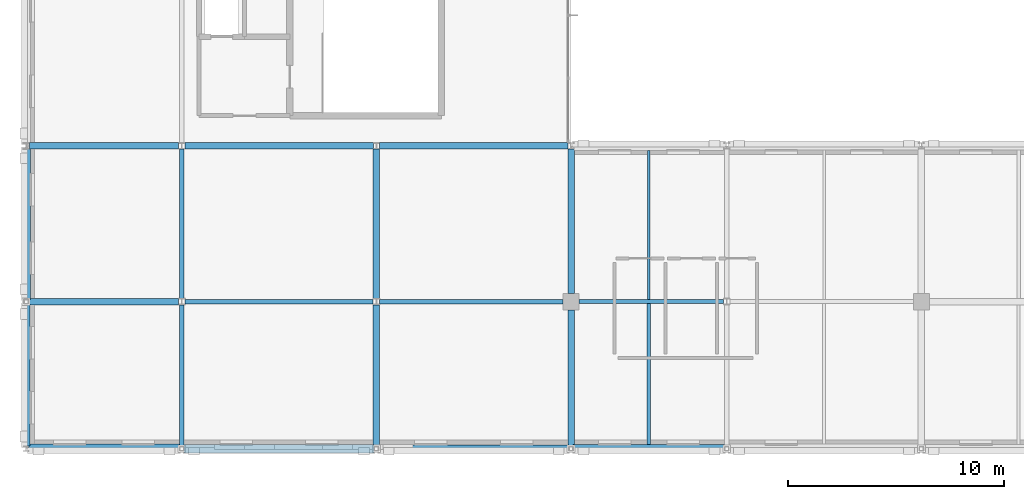
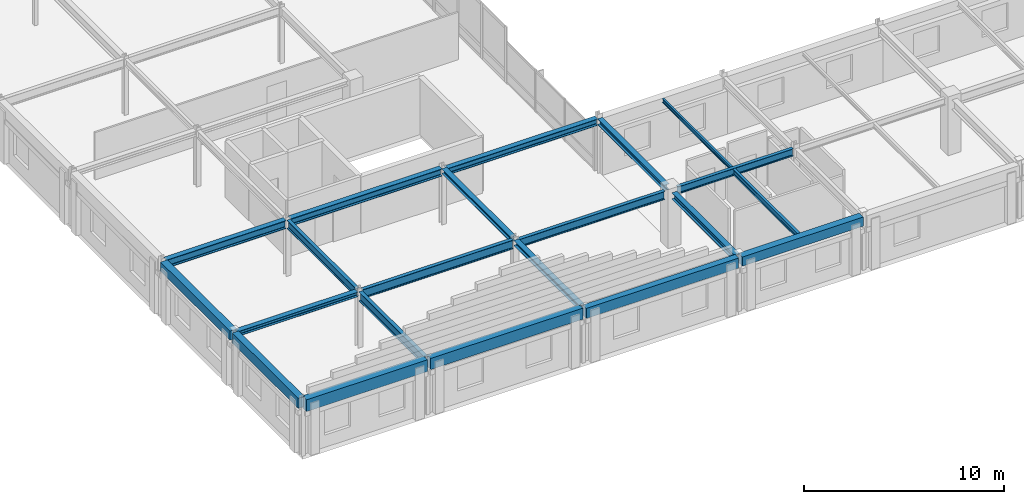
# One storey, part 15 of 74: 21 beams.
"""IFC4 building model written with IfcOpenShell, lengths in metres."""

from ifc_helpers import new_model, si_unit, direction, frame, origin, origin_2d, place, context, subcontext, project, spatial, rectangle, i_section, extrude, material, material_profile, profile_set, type_object, element, save


model = new_model("IFC4")

# Units and contexts
model_context = context("Model", 3, precision=1e-05, world=origin(), true_north=direction((0.0, 1.0)))
body_context = subcontext(model_context, "Body", "Model", "MODEL_VIEW")
ifc_project = project(units=[si_unit("LENGTHUNIT", "METRE"), si_unit("AREAUNIT", "SQUARE_METRE"), si_unit("VOLUMEUNIT", "CUBIC_METRE"), si_unit("PLANEANGLEUNIT", "RADIAN"), si_unit("MASSUNIT", "GRAM", prefix="KILO")], contexts=[model_context])

# Site, building, storey
site_placement = place(None, origin())
site = spatial("IfcSite", under=ifc_project, at=site_placement, CompositionType="ELEMENT")
building_placement = place(site_placement, origin())
building = spatial("IfcBuilding", under=site, at=building_placement, Name="Clarverna Civic Hall", CompositionType="ELEMENT")
storey_placement = place(building_placement, frame((0.0, 0.0, 13.199951171875)))
storey = spatial("IfcBuildingStorey", under=building, at=storey_placement, Name="L03", CompositionType="ELEMENT", Elevation=13.199951171875)

# Beams
ifc_material_1 = material(Name="Concrete C35/45", Category="concrete")
ifc_material_profile_1 = material_profile(ifc_material_1, rectangle(XDim=0.419921875, YDim=0.719970703125, at=origin_2d()), Name="RC 420x720")
ifc_profile_set_1 = profile_set([ifc_material_profile_1], Name="Concrete C35/45")
beam_type_1 = type_object("IfcBeamType", Name="B-SP1", PredefinedType="SPANDREL", material=ifc_profile_set_1)
beam_1_placement = place(storey_placement, frame((0.1201171875, 0.0, 3.080078125), z_axis=(1.0, 0.0, 0.0), x_axis=(0.0, 1.0, 0.0)))
element("IfcBeam", 1, at=beam_1_placement, inside=storey, type_object=beam_type_1, Name="B-SP1-106", PredefinedType="SPANDREL", context=body_context, shape_type="SweptSolid", body=[
    extrude(rectangle(XDim=0.419921875, YDim=0.719970703125, at=origin_2d()), origin(), (0.0, 0.0, 1.0), 6.97998046875),
])
ifc_material_profile_2 = material_profile(ifc_material_1, rectangle(XDim=0.3798828125, YDim=0.679931640625, at=origin_2d()), Name="RC 380x680")
ifc_profile_set_2 = profile_set([ifc_material_profile_2], Name="Concrete C35/45")
beam_type_2 = type_object("IfcBeamType", Name="B-SP2", PredefinedType="SPANDREL", material=ifc_profile_set_2)
beam_2_placement = place(storey_placement, frame((7.300048828125, 0.0, 3.10009765625), z_axis=(1.0, 0.0, 0.0), x_axis=(0.0, 1.0, 0.0)))
element("IfcBeam", 2, at=beam_2_placement, inside=storey, type_object=beam_type_2, Name="B-SP2-109", PredefinedType="SPANDREL", context=body_context, shape_type="SweptSolid", body=[
    extrude(rectangle(XDim=0.3798828125, YDim=0.679931640625, at=origin_2d()), origin(), (0.0, 0.0, 1.0), 8.800048828125),
])
ifc_material_profile_3 = material_profile(ifc_material_1, rectangle(XDim=0.360107421875, YDim=0.6201171875, at=origin_2d()), Name="RC 360x620")
ifc_profile_set_3 = profile_set([ifc_material_profile_3], Name="Concrete C35/45")
beam_type_3 = type_object("IfcBeamType", Name="B-SP3", PredefinedType="SPANDREL", material=ifc_profile_set_3)
beam_3_placement = place(storey_placement, frame((16.300048828125, 0.0, 3.030029296875), z_axis=(1.0, 0.0, 0.0), x_axis=(0.0, 1.0, 0.0)))
element("IfcBeam", 3, at=beam_3_placement, inside=storey, type_object=beam_type_3, Name="B-SP3-107", PredefinedType="SPANDREL", context=body_context, shape_type="SweptSolid", body=[
    extrude(rectangle(XDim=0.360107421875, YDim=0.6201171875, at=origin_2d()), origin(), (0.0, 0.0, 1.0), 8.800048828125),
])
beam_4_placement = place(storey_placement, frame((0.0, 0.1201171875, 3.130126953125), z_axis=(0.0, 1.0, 0.0), x_axis=(-1.0, 0.0, 0.0)))
element("IfcBeam", 4, at=beam_4_placement, inside=storey, type_object=beam_type_3, Name="B-SP3-119", PredefinedType="SPANDREL", context=body_context, shape_type="SweptSolid", body=[
    extrude(rectangle(XDim=0.360107421875, YDim=0.6201171875, at=origin_2d()), origin(), (0.0, 0.0, 1.0), 6.579833984375),
])
ifc_material_profile_4 = material_profile(ifc_material_1, rectangle(XDim=0.39990234375, YDim=0.56005859375, at=origin_2d()), Name="RC 400x560")
ifc_profile_set_4 = profile_set([ifc_material_profile_4], Name="Concrete C35/45")
beam_type_4 = type_object("IfcBeamType", Name="B-SP4", PredefinedType="SPANDREL", material=ifc_profile_set_4)
beam_5_placement = place(storey_placement, frame((25.300048828125, 0.0, 3.06005859375), z_axis=(1.0, 0.0, 0.0), x_axis=(0.0, 1.0, 0.0)))
element("IfcBeam", 5, at=beam_5_placement, inside=storey, type_object=beam_type_4, Name="B-SP4-108", PredefinedType="SPANDREL", context=body_context, shape_type="SweptSolid", body=[
    extrude(rectangle(XDim=0.39990234375, YDim=0.56005859375, at=origin_2d()), origin(), (0.0, 0.0, 1.0), 7.0),
])
beam_6_placement = place(storey_placement, frame((0.0, 6.89990234375, 3.16015625), z_axis=(0.0, 1.0, 0.0), x_axis=(-1.0, 0.0, 0.0)))
element("IfcBeam", 6, at=beam_6_placement, inside=storey, type_object=beam_type_4, Name="B-SP4-119", PredefinedType="SPANDREL", context=body_context, shape_type="SweptSolid", body=[
    extrude(rectangle(XDim=0.39990234375, YDim=0.56005859375, at=origin_2d()), origin(), (0.0, 0.0, 1.0), 6.9501953125),
])
ifc_material_2 = material(Name="Steel S355", Category="steel")
ifc_material_profile_5 = material_profile(ifc_material_2, i_section(OverallWidth=0.300048828125, OverallDepth=0.2900390625, WebThickness=0.008544921875, FlangeThickness=0.013916015625, FilletRadius=0.027099609375, at=origin_2d()), Name="HEA 300")
ifc_profile_set_5 = profile_set([ifc_material_profile_5], Name="Steel S355")
beam_type_5 = type_object("IfcBeamType", Name="B-ST10", PredefinedType="BEAM", material=ifc_profile_set_5)
beam_7_placement = place(storey_placement, frame((0.10009765625, 6.800048828125, 3.295166015625), z_axis=(1.0, 0.0, 0.0), x_axis=(0.0, 1.0, 0.0)))
element("IfcBeam", 7, at=beam_7_placement, inside=storey, type_object=beam_type_5, Name="B-ST10-010", PredefinedType="BEAM", context=body_context, shape_type="SweptSolid", body=[
    extrude(i_section(OverallWidth=0.300048828125, OverallDepth=0.2900390625, WebThickness=0.008544921875, FlangeThickness=0.013916015625, FilletRadius=0.027099609375, at=origin_2d()), origin(), (0.0, 0.0, 1.0), 6.949951171875),
])
beam_8_placement = place(storey_placement, frame((16.199951171875, 6.949951171875, 3.295166015625), z_axis=(0.0, 1.0, 0.0), x_axis=(-1.0, 0.0, 0.0)))
element("IfcBeam", 8, at=beam_8_placement, inside=storey, type_object=beam_type_5, Name="B-ST10-014", PredefinedType="BEAM", context=body_context, shape_type="SweptSolid", body=[
    extrude(i_section(OverallWidth=0.300048828125, OverallDepth=0.2900390625, WebThickness=0.008544921875, FlangeThickness=0.013916015625, FilletRadius=0.027099609375, at=origin_2d()), origin(), (0.0, 0.0, 1.0), 6.91015625),
])
ifc_material_profile_6 = material_profile(ifc_material_2, i_section(OverallWidth=0.2099609375, OverallDepth=0.550048828125, WebThickness=0.010986328125, FlangeThickness=0.01708984375, FilletRadius=0.02392578125, at=origin_2d()), Name="IPE 550")
ifc_profile_set_6 = profile_set([ifc_material_profile_6], Name="Steel S355")
beam_type_6 = type_object("IfcBeamType", Name="B-ST11", PredefinedType="BEAM", material=ifc_profile_set_6)
beam_9_placement = place(storey_placement, frame((7.35009765625, 6.800048828125, 3.1650390625), z_axis=(1.0, 0.0, 0.0), x_axis=(0.0, 1.0, 0.0)))
element("IfcBeam", 9, at=beam_9_placement, inside=storey, type_object=beam_type_6, Name="B-ST11-013", PredefinedType="BEAM", context=body_context, shape_type="SweptSolid", body=[
    extrude(i_section(OverallWidth=0.2099609375, OverallDepth=0.550048828125, WebThickness=0.010986328125, FlangeThickness=0.01708984375, FilletRadius=0.02392578125, at=origin_2d()), origin(), (0.0, 0.0, 1.0), 8.699951171875),
])
beam_10_placement = place(storey_placement, frame((7.199951171875, 0.10009765625, 3.1650390625), z_axis=(0.0, 1.0, 0.0), x_axis=(-1.0, 0.0, 0.0)))
element("IfcBeam", 10, at=beam_10_placement, inside=storey, type_object=beam_type_6, Name="B-ST11-016", PredefinedType="BEAM", context=body_context, shape_type="SweptSolid", body=[
    extrude(i_section(OverallWidth=0.2099609375, OverallDepth=0.550048828125, WebThickness=0.010986328125, FlangeThickness=0.01708984375, FilletRadius=0.02392578125, at=origin_2d()), origin(), (0.0, 0.0, 1.0), 6.5498046875),
])
ifc_material_profile_7 = material_profile(ifc_material_2, i_section(OverallWidth=0.199951171875, OverallDepth=0.5, WebThickness=0.01025390625, FlangeThickness=0.01611328125, FilletRadius=0.02099609375, at=origin_2d()), Name="IPE 500")
ifc_profile_set_7 = profile_set([ifc_material_profile_7], Name="Steel S355")
beam_type_7 = type_object("IfcBeamType", Name="B-ST12", PredefinedType="BEAM", material=ifc_profile_set_7)
beam_11_placement = place(storey_placement, frame((16.35009765625, 6.800048828125, 3.090087890625), z_axis=(1.0, 0.0, 0.0), x_axis=(0.0, 1.0, 0.0)))
element("IfcBeam", 11, at=beam_11_placement, inside=storey, type_object=beam_type_7, Name="B-ST12-012", PredefinedType="BEAM", context=body_context, shape_type="SweptSolid", body=[
    extrude(i_section(OverallWidth=0.199951171875, OverallDepth=0.5, WebThickness=0.01025390625, FlangeThickness=0.01611328125, FilletRadius=0.02099609375, at=origin_2d()), origin(), (0.0, 0.0, 1.0), 8.474853515625),
])
beam_12_placement = place(storey_placement, frame((7.199951171875, 6.949951171875, 3.18994140625), z_axis=(0.0, 1.0, 0.0), x_axis=(-1.0, 0.0, 0.0)))
element("IfcBeam", 12, at=beam_12_placement, inside=storey, type_object=beam_type_7, Name="B-ST12-014", PredefinedType="BEAM", context=body_context, shape_type="SweptSolid", body=[
    extrude(i_section(OverallWidth=0.199951171875, OverallDepth=0.5, WebThickness=0.01025390625, FlangeThickness=0.01611328125, FilletRadius=0.02099609375, at=origin_2d()), origin(), (0.0, 0.0, 1.0), 6.91015625),
])
ifc_material_profile_8 = material_profile(ifc_material_2, i_section(OverallWidth=0.18994140625, OverallDepth=0.449951171875, WebThickness=0.009521484375, FlangeThickness=0.0146484375, FilletRadius=0.02099609375, at=origin_2d()), Name="IPE 450")
ifc_profile_set_8 = profile_set([ifc_material_profile_8], Name="Steel S355")
beam_type_8 = type_object("IfcBeamType", Name="B-ST13", PredefinedType="BEAM", material=ifc_profile_set_8)
beam_13_placement = place(storey_placement, frame((25.574951171875, 6.800048828125, 3.114990234375), z_axis=(1.0, 0.0, 0.0), x_axis=(0.0, 1.0, 0.0)))
element("IfcBeam", 13, at=beam_13_placement, inside=storey, type_object=beam_type_8, Name="B-ST13-012", PredefinedType="BEAM", context=body_context, shape_type="SweptSolid", body=[
    extrude(i_section(OverallWidth=0.18994140625, OverallDepth=0.449951171875, WebThickness=0.009521484375, FlangeThickness=0.0146484375, FilletRadius=0.02099609375, at=origin_2d()), origin(), (0.0, 0.0, 1.0), 6.675048828125),
])
ifc_material_profile_9 = material_profile(ifc_material_2, i_section(OverallWidth=0.300048828125, OverallDepth=0.5, WebThickness=0.014404296875, FlangeThickness=0.028076171875, FilletRadius=0.027099609375, at=origin_2d()), Name="HEB 500")
ifc_profile_set_9 = profile_set([ifc_material_profile_9], Name="Steel S355")
beam_type_9 = type_object("IfcBeamType", Name="B-ST2", PredefinedType="BEAM", material=ifc_profile_set_9)
beam_14_placement = place(storey_placement, frame((0.14990234375, 14.0, 3.18994140625), z_axis=(1.0, 0.0, 0.0), x_axis=(0.0, 1.0, 0.0)))
element("IfcBeam", 14, at=beam_14_placement, inside=storey, type_object=beam_type_9, Name="B-ST2-009", PredefinedType="BEAM", context=body_context, shape_type="SweptSolid", body=[
    extrude(i_section(OverallWidth=0.300048828125, OverallDepth=0.5, WebThickness=0.014404296875, FlangeThickness=0.028076171875, FilletRadius=0.027099609375, at=origin_2d()), origin(), (0.0, 0.0, 1.0), 6.91015625),
])
ifc_material_profile_10 = material_profile(ifc_material_2, i_section(OverallWidth=0.300048828125, OverallDepth=0.449951171875, WebThickness=0.013916015625, FlangeThickness=0.02587890625, FilletRadius=0.027099609375, at=origin_2d()), Name="HEB 450")
ifc_profile_set_10 = profile_set([ifc_material_profile_10], Name="Steel S355")
beam_type_10 = type_object("IfcBeamType", Name="B-ST3", PredefinedType="BEAM", material=ifc_profile_set_10)
beam_15_placement = place(storey_placement, frame((7.340087890625, 14.0, 3.215087890625), z_axis=(1.0, 0.0, 0.0), x_axis=(0.0, 1.0, 0.0)))
element("IfcBeam", 15, at=beam_15_placement, inside=storey, type_object=beam_type_10, Name="B-ST3-010", PredefinedType="BEAM", context=body_context, shape_type="SweptSolid", body=[
    extrude(i_section(OverallWidth=0.300048828125, OverallDepth=0.449951171875, WebThickness=0.013916015625, FlangeThickness=0.02587890625, FilletRadius=0.027099609375, at=origin_2d()), origin(), (0.0, 0.0, 1.0), 8.719970703125),
])
ifc_material_profile_11 = material_profile(ifc_material_2, i_section(OverallWidth=0.300048828125, OverallDepth=0.39990234375, WebThickness=0.013427734375, FlangeThickness=0.02392578125, FilletRadius=0.027099609375, at=origin_2d()), Name="HEB 400")
ifc_profile_set_11 = profile_set([ifc_material_profile_11], Name="Steel S355")
beam_type_11 = type_object("IfcBeamType", Name="B-ST4", PredefinedType="BEAM", material=ifc_profile_set_11)
beam_16_placement = place(storey_placement, frame((16.340087890625, 14.0, 3.14013671875), z_axis=(1.0, 0.0, 0.0), x_axis=(0.0, 1.0, 0.0)))
element("IfcBeam", 16, at=beam_16_placement, inside=storey, type_object=beam_type_11, Name="B-ST4-010", PredefinedType="BEAM", context=body_context, shape_type="SweptSolid", body=[
    extrude(i_section(OverallWidth=0.300048828125, OverallDepth=0.39990234375, WebThickness=0.013427734375, FlangeThickness=0.02392578125, FilletRadius=0.027099609375, at=origin_2d()), origin(), (0.0, 0.0, 1.0), 8.719970703125),
])
ifc_material_profile_12 = material_profile(ifc_material_2, i_section(OverallWidth=0.300048828125, OverallDepth=0.389892578125, WebThickness=0.010986328125, FlangeThickness=0.01904296875, FilletRadius=0.027099609375, at=origin_2d()), Name="HEA 400")
ifc_profile_set_12 = profile_set([ifc_material_profile_12], Name="Steel S355")
beam_type_12 = type_object("IfcBeamType", Name="B-ST6", PredefinedType="BEAM", material=ifc_profile_set_12)
beam_17_placement = place(storey_placement, frame((25.199951171875, 0.10009765625, 3.14501953125), z_axis=(0.0, 1.0, 0.0), x_axis=(-1.0, 0.0, 0.0)))
element("IfcBeam", 17, at=beam_17_placement, inside=storey, type_object=beam_type_12, Name="B-ST6-015", PredefinedType="BEAM", context=body_context, shape_type="SweptSolid", body=[
    extrude(i_section(OverallWidth=0.300048828125, OverallDepth=0.389892578125, WebThickness=0.010986328125, FlangeThickness=0.01904296875, FilletRadius=0.027099609375, at=origin_2d()), origin(), (0.0, 0.0, 1.0), 6.324951171875),
])
ifc_material_profile_13 = material_profile(ifc_material_2, i_section(OverallWidth=0.300048828125, OverallDepth=0.35009765625, WebThickness=0.010009765625, FlangeThickness=0.017578125, FilletRadius=0.027099609375, at=origin_2d()), Name="HEA 360")
ifc_profile_set_13 = profile_set([ifc_material_profile_13], Name="Steel S355")
beam_type_13 = type_object("IfcBeamType", Name="B-ST7", PredefinedType="BEAM", material=ifc_profile_set_13)
beam_18_placement = place(storey_placement, frame((25.199951171875, 7.175048828125, 3.1650390625), z_axis=(0.0, 1.0, 0.0), x_axis=(-1.0, 0.0, 0.0)))
element("IfcBeam", 18, at=beam_18_placement, inside=storey, type_object=beam_type_13, Name="B-ST7-015", PredefinedType="BEAM", context=body_context, shape_type="SweptSolid", body=[
    extrude(i_section(OverallWidth=0.300048828125, OverallDepth=0.35009765625, WebThickness=0.010009765625, FlangeThickness=0.017578125, FilletRadius=0.027099609375, at=origin_2d()), origin(), (0.0, 0.0, 1.0), 6.68505859375),
])
ifc_material_profile_14 = material_profile(ifc_material_2, i_section(OverallWidth=0.300048828125, OverallDepth=0.31005859375, WebThickness=0.009033203125, FlangeThickness=0.015380859375, FilletRadius=0.027099609375, at=origin_2d()), Name="HEA 320")
ifc_profile_set_14 = profile_set([ifc_material_profile_14], Name="Steel S355")
beam_type_14 = type_object("IfcBeamType", Name="B-ST9", PredefinedType="BEAM", material=ifc_profile_set_14)
beam_19_placement = place(storey_placement, frame((16.199951171875, 0.10009765625, 3.28515625), z_axis=(0.0, 1.0, 0.0), x_axis=(-1.0, 0.0, 0.0)))
element("IfcBeam", 19, at=beam_19_placement, inside=storey, type_object=beam_type_14, Name="B-ST9-088", PredefinedType="BEAM", context=body_context, shape_type="SweptSolid", body=[
    extrude(i_section(OverallWidth=0.300048828125, OverallDepth=0.31005859375, WebThickness=0.009033203125, FlangeThickness=0.015380859375, FilletRadius=0.027099609375, at=origin_2d()), origin(), (0.0, 0.0, 1.0), 6.5498046875),
])
ifc_material_profile_15 = material_profile(ifc_material_2, i_section(OverallWidth=0.159912109375, OverallDepth=0.330078125, WebThickness=0.007568359375, FlangeThickness=0.011474609375, FilletRadius=0.01806640625, at=origin_2d()), Name="IPE 330")
ifc_profile_set_15 = profile_set([ifc_material_profile_15], Name="Steel S355")
beam_type_15 = type_object("IfcBeamType", Name="J-ST2", PredefinedType="JOIST", material=ifc_profile_set_15)
beam_20_placement = place(storey_placement, frame((28.800048828125, 0.199951171875, 3.175048828125), z_axis=(0.0, 1.0, 0.0), x_axis=(-1.0, 0.0, 0.0)))
element("IfcBeam", 20, at=beam_20_placement, inside=storey, type_object=beam_type_15, Name="J-ST2-060", PredefinedType="JOIST", context=body_context, shape_type="SweptSolid", body=[
    extrude(i_section(OverallWidth=0.159912109375, OverallDepth=0.330078125, WebThickness=0.007568359375, FlangeThickness=0.011474609375, FilletRadius=0.01806640625, at=origin_2d()), origin(), (0.0, 0.0, 1.0), 6.505126953125),
])
ifc_material_profile_16 = material_profile(ifc_material_2, i_section(OverallWidth=0.1201171875, OverallDepth=0.239990234375, WebThickness=0.006103515625, FlangeThickness=0.009765625, FilletRadius=0.014892578125, at=origin_2d()), Name="IPE 240")
ifc_profile_set_16 = profile_set([ifc_material_profile_16], Name="Steel S355")
beam_type_16 = type_object("IfcBeamType", Name="J-ST5", PredefinedType="JOIST", material=ifc_profile_set_16)
beam_21_placement = place(storey_placement, frame((28.800048828125, 6.89501953125, 3.219970703125), z_axis=(0.0, 1.0, 0.0), x_axis=(-1.0, 0.0, 0.0)))
element("IfcBeam", 21, at=beam_21_placement, inside=storey, type_object=beam_type_16, Name="J-ST5-059", PredefinedType="JOIST", context=body_context, shape_type="SweptSolid", body=[
    extrude(i_section(OverallWidth=0.1201171875, OverallDepth=0.239990234375, WebThickness=0.006103515625, FlangeThickness=0.009765625, FilletRadius=0.014892578125, at=origin_2d()), origin(), (0.0, 0.0, 1.0), 6.89501953125),
])

save(model, "model.ifc")
